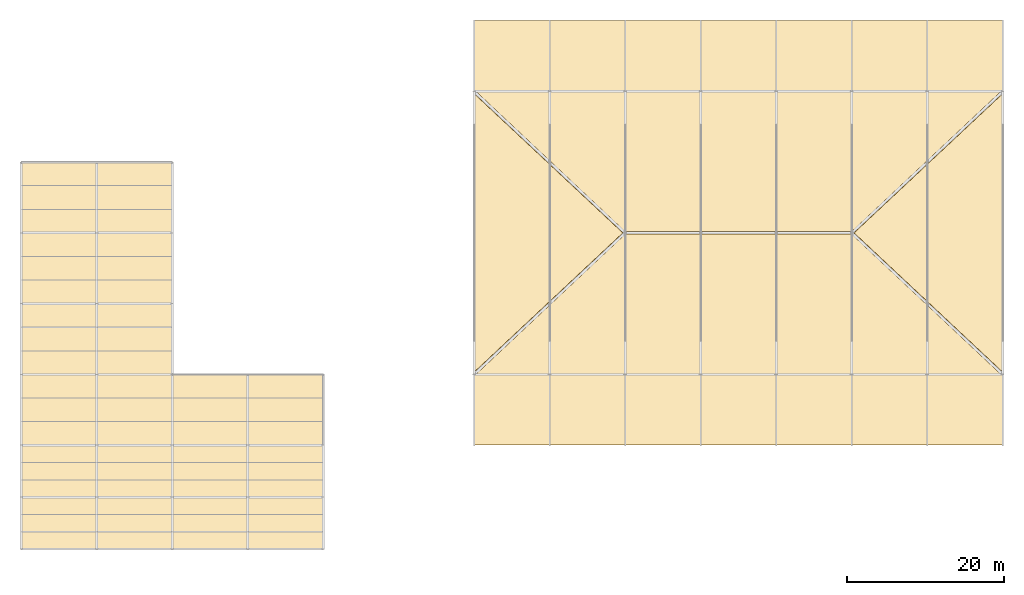
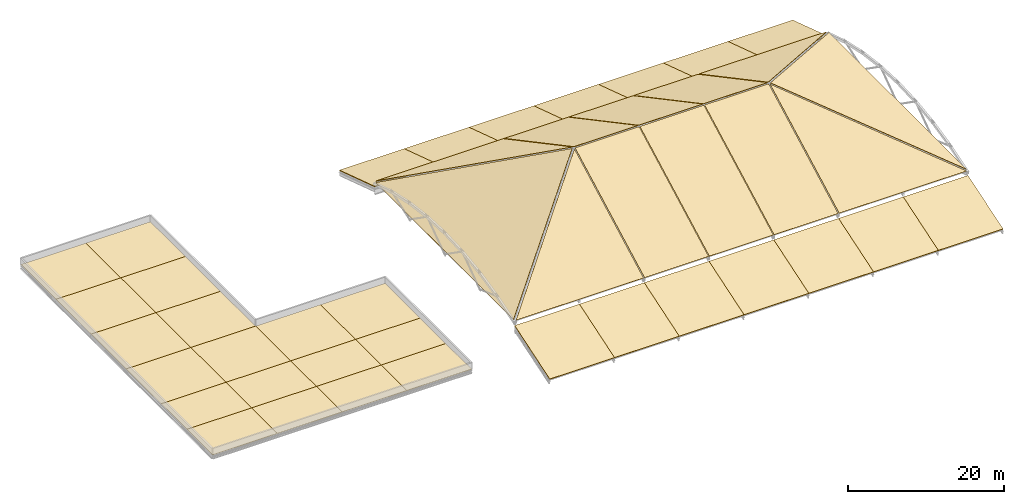
# One storey, part 16 of 16: 44 coverings, 8 elements without a shape of their own.
"""IFC4 building model written with IfcOpenShell, lengths in metres."""

from ifc_helpers import new_model, si_unit, direction, frame, origin, place, context, subcontext, project, spatial, polyline, outline, extrude, material, layer, layer_set, type_object, element, aggregate, save


model = new_model("IFC4")

# Units and contexts
model_context = context("Model", 3, precision=1e-05, world=origin(), true_north=direction((0.0, 1.0)))
body_context = subcontext(model_context, "Body", "Model", "MODEL_VIEW")
ifc_project = project(units=[si_unit("LENGTHUNIT", "METRE"), si_unit("AREAUNIT", "SQUARE_METRE"), si_unit("VOLUMEUNIT", "CUBIC_METRE"), si_unit("PLANEANGLEUNIT", "RADIAN"), si_unit("MASSUNIT", "GRAM", prefix="KILO")], contexts=[model_context])

# Site, building, storey
site_placement = place(None, origin())
site = spatial("IfcSite", under=ifc_project, at=site_placement, CompositionType="ELEMENT")
building_placement = place(site_placement, origin())
building = spatial("IfcBuilding", under=site, at=building_placement, Name="Zarnetskaya Central Station", CompositionType="ELEMENT")
storey_placement = place(building_placement, frame((0.0, 0.0, 27.0)))
storey = spatial("IfcBuildingStorey", under=building, at=storey_placement, Name="RF", CompositionType="ELEMENT", Elevation=27.0)

# Roof, coverings
ifc_material_1 = material(Name="Steel S355", Category="steel")
roof_type_1 = type_object("IfcRoofType", Name="RF-ASSY-HIP", PredefinedType="HIP_ROOF", material=ifc_material_1)
roof_1_placement = place(storey_placement, origin())
roof_1 = element("IfcRoof", 1, at=roof_1_placement, inside=storey, type_object=roof_type_1, Name="Grand hall pyramid-hipped roof bay 1", PredefinedType="HIP_ROOF")
ifc_material_2 = material(Name="Planted green roof build-up")
ifc_layer_1 = layer(ifc_material_2, 0.1201171875, Name="Planted green roof build-up")
ifc_layer_set_1 = layer_set([ifc_layer_1], Name="Planted green roof build-up")
covering_type_1 = type_object("IfcCoveringType", Name="COV-GREEN-ROOF", PredefinedType="ROOFING", material=ifc_layer_set_1)
covering_1_placement = place(storey_placement, frame((57.60009765625, 13.199951171875, -16.22998046875), z_axis=(0.0, -0.309020735465, 0.951055300733), x_axis=(1.0, 0.0, 0.0)))
covering_1 = element("IfcCovering", 2, at=covering_1_placement, type_object=covering_type_1, Name="Planted green roof build-up S1", PredefinedType="ROOFING", context=body_context, shape_type="SweptSolid", body=[
    extrude(outline(polyline([(0.0, 0.0), (9.599853515625, 0.0), (9.599853515625, 9.463172113190318), (0.0, 9.463172113190318), (0.0, 0.0)])), origin(), (0.0, 0.0, -1.0), 0.1201171875),
])
covering_2_placement = place(storey_placement, frame((67.199951171875, 67.199951171875, -16.22998046875), z_axis=(0.0, 0.309020735465, 0.951055300733), x_axis=(-1.0, 0.0, 0.0)))
covering_2 = element("IfcCovering", 3, at=covering_2_placement, type_object=covering_type_1, Name="Planted green roof build-up N1", PredefinedType="ROOFING", context=body_context, shape_type="SweptSolid", body=[
    extrude(outline(polyline([(0.0, 0.0), (9.599853515625, 0.0), (9.599853515625, 9.463172113190318), (0.0, 9.463172113190318), (0.0, 0.0)])), origin(), (0.0, 0.0, -1.0), 0.1201171875),
])
aggregate(roof_1, [covering_1, covering_2])

roof_2_placement = place(storey_placement, origin())
roof_2 = element("IfcRoof", 4, at=roof_2_placement, inside=storey, type_object=roof_type_1, Name="Grand hall pyramid-hipped roof bay 2", PredefinedType="HIP_ROOF")
covering_3_placement = place(storey_placement, frame((67.199951171875, 13.199951171875, -16.22998046875), z_axis=(0.0, -0.309020735465, 0.951055300733), x_axis=(1.0, 0.0, 0.0)))
covering_3 = element("IfcCovering", 5, at=covering_3_placement, type_object=covering_type_1, Name="Planted green roof build-up S2", PredefinedType="ROOFING", context=body_context, shape_type="SweptSolid", body=[
    extrude(outline(polyline([(0.0, 0.0), (9.60009765625, 0.0), (9.60009765625, 9.463172113190318), (0.0, 9.463172113190318), (0.0, 0.0)])), origin(), (0.0, 0.0, -1.0), 0.1201171875),
])
covering_4_placement = place(storey_placement, frame((76.800048828125, 67.199951171875, -16.22998046875), z_axis=(0.0, 0.309020735465, 0.951055300733), x_axis=(-1.0, 0.0, 0.0)))
covering_4 = element("IfcCovering", 6, at=covering_4_placement, type_object=covering_type_1, Name="Planted green roof build-up N2", PredefinedType="ROOFING", context=body_context, shape_type="SweptSolid", body=[
    extrude(outline(polyline([(0.0, 0.0), (9.60009765625, 0.0), (9.60009765625, 9.463172113190318), (0.0, 9.463172113190318), (0.0, 0.0)])), origin(), (0.0, 0.0, -1.0), 0.1201171875),
])
aggregate(roof_2, [covering_3, covering_4])

roof_3_placement = place(storey_placement, origin())
roof_3 = element("IfcRoof", 7, at=roof_3_placement, inside=storey, type_object=roof_type_1, Name="Grand hall pyramid-hipped roof bay 3", PredefinedType="HIP_ROOF")
covering_5_placement = place(storey_placement, frame((76.800048828125, 13.199951171875, -16.22998046875), z_axis=(0.0, -0.309020735465, 0.951055300733), x_axis=(1.0, 0.0, 0.0)))
covering_5 = element("IfcCovering", 8, at=covering_5_placement, type_object=covering_type_1, Name="Planted green roof build-up S3", PredefinedType="ROOFING", context=body_context, shape_type="SweptSolid", body=[
    extrude(outline(polyline([(0.0, 0.0), (9.599853515625, 0.0), (9.599853515625, 9.463172113190318), (0.0, 9.463172113190318), (0.0, 0.0)])), origin(), (0.0, 0.0, -1.0), 0.1201171875),
])
covering_6_placement = place(storey_placement, frame((86.39990234375, 67.199951171875, -16.22998046875), z_axis=(0.0, 0.309020735465, 0.951055300733), x_axis=(-1.0, 0.0, 0.0)))
covering_6 = element("IfcCovering", 9, at=covering_6_placement, type_object=covering_type_1, Name="Planted green roof build-up N3", PredefinedType="ROOFING", context=body_context, shape_type="SweptSolid", body=[
    extrude(outline(polyline([(0.0, 0.0), (9.599853515625, 0.0), (9.599853515625, 9.463172113190318), (0.0, 9.463172113190318), (0.0, 0.0)])), origin(), (0.0, 0.0, -1.0), 0.1201171875),
])
aggregate(roof_3, [covering_5, covering_6])

roof_4_placement = place(storey_placement, origin())
roof_4 = element("IfcRoof", 10, at=roof_4_placement, inside=storey, type_object=roof_type_1, Name="Grand hall pyramid-hipped roof bay 4", PredefinedType="HIP_ROOF")
covering_7_placement = place(storey_placement, frame((86.39990234375, 13.199951171875, -16.22998046875), z_axis=(0.0, -0.309020735465, 0.951055300733), x_axis=(1.0, 0.0, 0.0)))
covering_7 = element("IfcCovering", 11, at=covering_7_placement, type_object=covering_type_1, Name="Planted green roof build-up S4", PredefinedType="ROOFING", context=body_context, shape_type="SweptSolid", body=[
    extrude(outline(polyline([(0.0, 0.0), (9.60009765625, 0.0), (9.60009765625, 9.463172113190318), (0.0, 9.463172113190318), (0.0, 0.0)])), origin(), (0.0, 0.0, -1.0), 0.1201171875),
])
covering_8_placement = place(storey_placement, frame((96.0, 67.199951171875, -16.22998046875), z_axis=(0.0, 0.309020735465, 0.951055300733), x_axis=(-1.0, 0.0, 0.0)))
covering_8 = element("IfcCovering", 12, at=covering_8_placement, type_object=covering_type_1, Name="Planted green roof build-up N4", PredefinedType="ROOFING", context=body_context, shape_type="SweptSolid", body=[
    extrude(outline(polyline([(0.0, 0.0), (9.60009765625, 0.0), (9.60009765625, 9.463172113190318), (0.0, 9.463172113190318), (0.0, 0.0)])), origin(), (0.0, 0.0, -1.0), 0.1201171875),
])

roof_5_placement = place(storey_placement, origin())
roof_5 = element("IfcRoof", 13, at=roof_5_placement, inside=storey, type_object=roof_type_1, Name="Grand hall pyramid-hipped roof bay 5", PredefinedType="HIP_ROOF")
covering_9_placement = place(storey_placement, frame((96.0, 13.199951171875, -16.22998046875), z_axis=(0.0, -0.309020735465, 0.951055300733), x_axis=(1.0, 0.0, 0.0)))
covering_9 = element("IfcCovering", 14, at=covering_9_placement, type_object=covering_type_1, Name="Planted green roof build-up S5", PredefinedType="ROOFING", context=body_context, shape_type="SweptSolid", body=[
    extrude(outline(polyline([(0.0, 0.0), (9.60009765625, 0.0), (9.60009765625, 9.463172113190318), (0.0, 9.463172113190318), (0.0, 0.0)])), origin(), (0.0, 0.0, -1.0), 0.1201171875),
])
covering_10_placement = place(storey_placement, frame((105.60009765625, 67.199951171875, -16.22998046875), z_axis=(0.0, 0.309020735465, 0.951055300733), x_axis=(-1.0, 0.0, 0.0)))
covering_10 = element("IfcCovering", 15, at=covering_10_placement, type_object=covering_type_1, Name="Planted green roof build-up N5", PredefinedType="ROOFING", context=body_context, shape_type="SweptSolid", body=[
    extrude(outline(polyline([(0.0, 0.0), (9.60009765625, 0.0), (9.60009765625, 9.463172113190318), (0.0, 9.463172113190318), (0.0, 0.0)])), origin(), (0.0, 0.0, -1.0), 0.1201171875),
])
aggregate(roof_5, [covering_9, covering_10])

roof_6_placement = place(storey_placement, origin())
roof_6 = element("IfcRoof", 16, at=roof_6_placement, inside=storey, type_object=roof_type_1, Name="Grand hall pyramid-hipped roof bay 6", PredefinedType="HIP_ROOF")
covering_11_placement = place(storey_placement, frame((105.60009765625, 13.199951171875, -16.22998046875), z_axis=(0.0, -0.309020735465, 0.951055300733), x_axis=(1.0, 0.0, 0.0)))
covering_11 = element("IfcCovering", 17, at=covering_11_placement, type_object=covering_type_1, Name="Planted green roof build-up S6", PredefinedType="ROOFING", context=body_context, shape_type="SweptSolid", body=[
    extrude(outline(polyline([(0.0, 0.0), (9.599853515625, 0.0), (9.599853515625, 9.463172113190318), (0.0, 9.463172113190318), (0.0, 0.0)])), origin(), (0.0, 0.0, -1.0), 0.1201171875),
])
covering_12_placement = place(storey_placement, frame((115.199951171875, 67.199951171875, -16.22998046875), z_axis=(0.0, 0.309020735465, 0.951055300733), x_axis=(-1.0, 0.0, 0.0)))
covering_12 = element("IfcCovering", 18, at=covering_12_placement, type_object=covering_type_1, Name="Planted green roof build-up N6", PredefinedType="ROOFING", context=body_context, shape_type="SweptSolid", body=[
    extrude(outline(polyline([(0.0, 0.0), (9.599853515625, 0.0), (9.599853515625, 9.463172113190318), (0.0, 9.463172113190318), (0.0, 0.0)])), origin(), (0.0, 0.0, -1.0), 0.1201171875),
])
aggregate(roof_6, [covering_11, covering_12])

roof_7_placement = place(storey_placement, origin())
roof_7 = element("IfcRoof", 19, at=roof_7_placement, inside=storey, type_object=roof_type_1, Name="Grand hall pyramid-hipped roof bay 7", PredefinedType="HIP_ROOF")
covering_13_placement = place(storey_placement, frame((115.199951171875, 13.199951171875, -16.22998046875), z_axis=(0.0, -0.309020735465, 0.951055300733), x_axis=(1.0, 0.0, 0.0)))
covering_13 = element("IfcCovering", 20, at=covering_13_placement, type_object=covering_type_1, Name="Planted green roof build-up S7", PredefinedType="ROOFING", context=body_context, shape_type="SweptSolid", body=[
    extrude(outline(polyline([(0.0, 0.0), (9.60009765625, 0.0), (9.60009765625, 9.463172113190318), (0.0, 9.463172113190318), (0.0, 0.0)])), origin(), (0.0, 0.0, -1.0), 0.1201171875),
])
covering_14_placement = place(storey_placement, frame((124.800048828125, 67.199951171875, -16.22998046875), z_axis=(0.0, 0.309020735465, 0.951055300733), x_axis=(-1.0, 0.0, 0.0)))
covering_14 = element("IfcCovering", 21, at=covering_14_placement, type_object=covering_type_1, Name="Planted green roof build-up N7", PredefinedType="ROOFING", context=body_context, shape_type="SweptSolid", body=[
    extrude(outline(polyline([(0.0, 0.0), (9.60009765625, 0.0), (9.60009765625, 9.463172113190318), (0.0, 9.463172113190318), (0.0, 0.0)])), origin(), (0.0, 0.0, -1.0), 0.1201171875),
])
aggregate(roof_7, [covering_13, covering_14])

ifc_material_3 = material(Name="Concrete C30/37", Category="concrete")
roof_type_2 = type_object("IfcRoofType", Name="RF-ASSY-FLAT", PredefinedType="FLAT_ROOF", material=ifc_material_3)
roof_8_placement = place(storey_placement, origin())
roof_8 = element("IfcRoof", 22, at=roof_8_placement, inside=storey, type_object=roof_type_2, Name="Operations wing main flat roof", PredefinedType="FLAT_ROOF")
ifc_material_4 = material(Name="Standing-seam zinc roof cladding")
ifc_layer_2 = layer(ifc_material_4, 0.06494140625, Name="Standing-seam zinc roof cladding")
ifc_layer_set_2 = layer_set([ifc_layer_2], Name="Standing-seam zinc roof cladding")
covering_type_2 = type_object("IfcCoveringType", Name="COV-ZINC-ROOF", PredefinedType="ROOFING", material=ifc_layer_set_2)
covering_15_placement = place(storey_placement, origin())
covering_15 = element("IfcCovering", 23, at=covering_15_placement, type_object=covering_type_2, Name="Standing-seam insulated roofing RFS-V5TOP-RF-AB-12", PredefinedType="ROOFING", context=body_context, shape_type="SweptSolid", body=[
    extrude(outline(polyline([(0.0, 0.0), (9.60009765625, 0.0), (9.60009765625, 6.60009765625), (0.0, 6.60009765625), (0.0, 0.0)])), origin(), (0.0, 0.0, 1.0), 0.06494140625),
])
covering_16_placement = place(storey_placement, origin())
covering_16 = element("IfcCovering", 24, at=covering_16_placement, type_object=covering_type_2, Name="Standing-seam insulated roofing RFS-V5TOP-RF-AB-23", PredefinedType="ROOFING", context=body_context, shape_type="SweptSolid", body=[
    extrude(outline(polyline([(0.0, 6.60009765625), (9.60009765625, 6.60009765625), (9.60009765625, 13.199951171875), (0.0, 13.199951171875), (0.0, 6.60009765625)])), origin(), (0.0, 0.0, 1.0), 0.06494140625),
])
covering_17_placement = place(storey_placement, origin())
covering_17 = element("IfcCovering", 25, at=covering_17_placement, type_object=covering_type_2, Name="Standing-seam insulated roofing RFS-V5TOP-RF-AB-34", PredefinedType="ROOFING", context=body_context, shape_type="SweptSolid", body=[
    extrude(outline(polyline([(0.0, 13.199951171875), (9.60009765625, 13.199951171875), (9.60009765625, 22.199951171875), (0.0, 22.199951171875), (0.0, 13.199951171875)])), origin(), (0.0, 0.0, 1.0), 0.06494140625),
])
covering_18_placement = place(storey_placement, origin())
covering_18 = element("IfcCovering", 26, at=covering_18_placement, type_object=covering_type_2, Name="Standing-seam insulated roofing RFS-V5TOP-RF-AB-45", PredefinedType="ROOFING", context=body_context, shape_type="SweptSolid", body=[
    extrude(outline(polyline([(0.0, 22.199951171875), (9.60009765625, 22.199951171875), (9.60009765625, 31.199951171875), (0.0, 31.199951171875), (0.0, 22.199951171875)])), origin(), (0.0, 0.0, 1.0), 0.06494140625),
])
covering_19_placement = place(storey_placement, origin())
covering_19 = element("IfcCovering", 27, at=covering_19_placement, type_object=covering_type_2, Name="Standing-seam insulated roofing RFS-V5TOP-RF-AB-56", PredefinedType="ROOFING", context=body_context, shape_type="SweptSolid", body=[
    extrude(outline(polyline([(0.0, 31.199951171875), (9.60009765625, 31.199951171875), (9.60009765625, 40.199951171875), (0.0, 40.199951171875), (0.0, 31.199951171875)])), origin(), (0.0, 0.0, 1.0), 0.06494140625),
])
covering_20_placement = place(storey_placement, origin())
covering_20 = element("IfcCovering", 28, at=covering_20_placement, type_object=covering_type_2, Name="Standing-seam insulated roofing RFS-V5TOP-RF-AB-67", PredefinedType="ROOFING", context=body_context, shape_type="SweptSolid", body=[
    extrude(outline(polyline([(0.0, 40.199951171875), (9.60009765625, 40.199951171875), (9.60009765625, 49.199951171875), (0.0, 49.199951171875), (0.0, 40.199951171875)])), origin(), (0.0, 0.0, 1.0), 0.06494140625),
])
covering_21_placement = place(storey_placement, origin())
covering_21 = element("IfcCovering", 29, at=covering_21_placement, type_object=covering_type_2, Name="Standing-seam insulated roofing RFS-V5TOP-RF-BC-12", PredefinedType="ROOFING", context=body_context, shape_type="SweptSolid", body=[
    extrude(outline(polyline([(9.60009765625, 0.0), (19.199951171875, 0.0), (19.199951171875, 6.60009765625), (9.60009765625, 6.60009765625), (9.60009765625, 0.0)])), origin(), (0.0, 0.0, 1.0), 0.06494140625),
])
covering_22_placement = place(storey_placement, origin())
covering_22 = element("IfcCovering", 30, at=covering_22_placement, type_object=covering_type_2, Name="Standing-seam insulated roofing RFS-V5TOP-RF-BC-23", PredefinedType="ROOFING", context=body_context, shape_type="SweptSolid", body=[
    extrude(outline(polyline([(9.60009765625, 6.60009765625), (19.199951171875, 6.60009765625), (19.199951171875, 13.199951171875), (9.60009765625, 13.199951171875), (9.60009765625, 6.60009765625)])), origin(), (0.0, 0.0, 1.0), 0.06494140625),
])
covering_23_placement = place(storey_placement, origin())
covering_23 = element("IfcCovering", 31, at=covering_23_placement, type_object=covering_type_2, Name="Standing-seam insulated roofing RFS-V5TOP-RF-BC-34", PredefinedType="ROOFING", context=body_context, shape_type="SweptSolid", body=[
    extrude(outline(polyline([(9.60009765625, 13.199951171875), (19.199951171875, 13.199951171875), (19.199951171875, 22.199951171875), (9.60009765625, 22.199951171875), (9.60009765625, 13.199951171875)])), origin(), (0.0, 0.0, 1.0), 0.06494140625),
])
covering_24_placement = place(storey_placement, origin())
covering_24 = element("IfcCovering", 32, at=covering_24_placement, type_object=covering_type_2, Name="Standing-seam insulated roofing RFS-V5TOP-RF-BC-45", PredefinedType="ROOFING", context=body_context, shape_type="SweptSolid", body=[
    extrude(outline(polyline([(9.60009765625, 22.199951171875), (19.199951171875, 22.199951171875), (19.199951171875, 31.199951171875), (9.60009765625, 31.199951171875), (9.60009765625, 22.199951171875)])), origin(), (0.0, 0.0, 1.0), 0.06494140625),
])
covering_25_placement = place(storey_placement, origin())
covering_25 = element("IfcCovering", 33, at=covering_25_placement, type_object=covering_type_2, Name="Standing-seam insulated roofing RFS-V5TOP-RF-BC-56", PredefinedType="ROOFING", context=body_context, shape_type="SweptSolid", body=[
    extrude(outline(polyline([(9.60009765625, 31.199951171875), (19.199951171875, 31.199951171875), (19.199951171875, 40.199951171875), (9.60009765625, 40.199951171875), (9.60009765625, 31.199951171875)])), origin(), (0.0, 0.0, 1.0), 0.06494140625),
])
covering_26_placement = place(storey_placement, origin())
covering_26 = element("IfcCovering", 34, at=covering_26_placement, type_object=covering_type_2, Name="Standing-seam insulated roofing RFS-V5TOP-RF-BC-67", PredefinedType="ROOFING", context=body_context, shape_type="SweptSolid", body=[
    extrude(outline(polyline([(9.60009765625, 40.199951171875), (19.199951171875, 40.199951171875), (19.199951171875, 49.199951171875), (9.60009765625, 49.199951171875), (9.60009765625, 40.199951171875)])), origin(), (0.0, 0.0, 1.0), 0.06494140625),
])
covering_27_placement = place(storey_placement, origin())
covering_27 = element("IfcCovering", 35, at=covering_27_placement, type_object=covering_type_2, Name="Standing-seam insulated roofing RFS-V5TOP-RF-CD-12", PredefinedType="ROOFING", context=body_context, shape_type="SweptSolid", body=[
    extrude(outline(polyline([(19.199951171875, 0.0), (28.800048828125, 0.0), (28.800048828125, 6.60009765625), (19.199951171875, 6.60009765625), (19.199951171875, 0.0)])), origin(), (0.0, 0.0, 1.0), 0.06494140625),
])
covering_28_placement = place(storey_placement, origin())
covering_28 = element("IfcCovering", 36, at=covering_28_placement, type_object=covering_type_2, Name="Standing-seam insulated roofing RFS-V5TOP-RF-CD-23", PredefinedType="ROOFING", context=body_context, shape_type="SweptSolid", body=[
    extrude(outline(polyline([(19.199951171875, 6.60009765625), (28.800048828125, 6.60009765625), (28.800048828125, 13.199951171875), (19.199951171875, 13.199951171875), (19.199951171875, 6.60009765625)])), origin(), (0.0, 0.0, 1.0), 0.06494140625),
])
covering_29_placement = place(storey_placement, origin())
covering_29 = element("IfcCovering", 37, at=covering_29_placement, type_object=covering_type_2, Name="Standing-seam insulated roofing RFS-V5TOP-RF-CD-34", PredefinedType="ROOFING", context=body_context, shape_type="SweptSolid", body=[
    extrude(outline(polyline([(19.199951171875, 13.199951171875), (28.800048828125, 13.199951171875), (28.800048828125, 22.199951171875), (19.199951171875, 22.199951171875), (19.199951171875, 13.199951171875)])), origin(), (0.0, 0.0, 1.0), 0.06494140625),
])
covering_30_placement = place(storey_placement, origin())
covering_30 = element("IfcCovering", 38, at=covering_30_placement, type_object=covering_type_2, Name="Standing-seam insulated roofing RFS-V5TOP-RF-DE-12", PredefinedType="ROOFING", context=body_context, shape_type="SweptSolid", body=[
    extrude(outline(polyline([(28.800048828125, 0.0), (38.39990234375, 0.0), (38.39990234375, 6.60009765625), (28.800048828125, 6.60009765625), (28.800048828125, 0.0)])), origin(), (0.0, 0.0, 1.0), 0.06494140625),
])
covering_31_placement = place(storey_placement, origin())
covering_31 = element("IfcCovering", 39, at=covering_31_placement, type_object=covering_type_2, Name="Standing-seam insulated roofing RFS-V5TOP-RF-DE-23", PredefinedType="ROOFING", context=body_context, shape_type="SweptSolid", body=[
    extrude(outline(polyline([(28.800048828125, 6.60009765625), (38.39990234375, 6.60009765625), (38.39990234375, 13.199951171875), (28.800048828125, 13.199951171875), (28.800048828125, 6.60009765625)])), origin(), (0.0, 0.0, 1.0), 0.06494140625),
])
covering_32_placement = place(storey_placement, origin())
covering_32 = element("IfcCovering", 40, at=covering_32_placement, type_object=covering_type_2, Name="Standing-seam insulated roofing RFS-V5TOP-RF-DE-34", PredefinedType="ROOFING", context=body_context, shape_type="SweptSolid", body=[
    extrude(outline(polyline([(28.800048828125, 13.199951171875), (38.39990234375, 13.199951171875), (38.39990234375, 22.199951171875), (28.800048828125, 22.199951171875), (28.800048828125, 13.199951171875)])), origin(), (0.0, 0.0, 1.0), 0.06494140625),
])
aggregate(roof_8, [covering_15, covering_16, covering_17, covering_18, covering_19, covering_20, covering_21, covering_22, covering_23, covering_24, covering_25, covering_26, covering_27, covering_28, covering_29, covering_30, covering_31, covering_32])

# Covering
covering_33_placement = place(storey_placement, frame((76.85009765625, 22.199951171875, -12.534912109375), z_axis=(0.0, -0.47058698254, 0.882353609311), x_axis=(1.0, 0.0, 0.0)))
covering_33 = element("IfcCovering", 41, at=covering_33_placement, type_object=covering_type_2, Name="Standing-seam zinc hip roofing HIP-S-JK", PredefinedType="ROOFING", context=body_context, shape_type="SweptSolid", body=[
    extrude(outline(polyline([(0.0, 0.0), (9.5, 0.0), (9.5, 20.230095358476273), (0.0, 20.230095358476273), (0.0, 0.0)])), origin(), (0.0, 0.0, -1.0), 0.06494140625),
])

covering_34_placement = place(storey_placement, frame((86.449951171875, 22.199951171875, -12.534912109375), z_axis=(0.0, -0.47058698254, 0.882353609311), x_axis=(1.0, 0.0, 0.0)))
covering_34 = element("IfcCovering", 42, at=covering_34_placement, type_object=covering_type_2, Name="Standing-seam zinc hip roofing HIP-S-KL", PredefinedType="ROOFING", context=body_context, shape_type="SweptSolid", body=[
    extrude(outline(polyline([(0.0, 0.0), (9.5, 0.0), (9.5, 20.230095358476273), (0.0, 20.230095358476273), (0.0, 0.0)])), origin(), (0.0, 0.0, -1.0), 0.06494140625),
])

covering_35_placement = place(storey_placement, frame((96.050048828125, 22.199951171875, -12.534912109375), z_axis=(0.0, -0.47058698254, 0.882353609311), x_axis=(1.0, 0.0, 0.0)))
covering_35 = element("IfcCovering", 43, at=covering_35_placement, type_object=covering_type_2, Name="Standing-seam zinc hip roofing HIP-S-LM", PredefinedType="ROOFING", context=body_context, shape_type="SweptSolid", body=[
    extrude(outline(polyline([(0.0, 0.0), (9.5, 0.0), (9.5, 20.230095358476273), (0.0, 20.230095358476273), (0.0, 0.0)])), origin(), (0.0, 0.0, -1.0), 0.06494140625),
])

covering_36_placement = place(storey_placement, frame((86.35009765625, 58.199951171875, -12.534912109375), z_axis=(0.0, 0.47059199359, 0.882350936742), x_axis=(-1.0, 0.0, 0.0)))
covering_36 = element("IfcCovering", 44, at=covering_36_placement, type_object=covering_type_2, Name="Standing-seam zinc hip roofing HIP-N-JK", PredefinedType="ROOFING", context=body_context, shape_type="SweptSolid", body=[
    extrude(outline(polyline([(0.0, 0.0), (9.5, 0.0), (9.5, 20.229879940440863), (0.0, 20.229879940440863), (0.0, 0.0)])), origin(), (0.0, 0.0, -1.0), 0.06494140625),
])

covering_37_placement = place(storey_placement, frame((95.949951171875, 58.199951171875, -12.534912109375), z_axis=(0.0, 0.47059199359, 0.882350936742), x_axis=(-1.0, 0.0, 0.0)))
covering_37 = element("IfcCovering", 45, at=covering_37_placement, type_object=covering_type_2, Name="Standing-seam zinc hip roofing HIP-N-KL", PredefinedType="ROOFING", context=body_context, shape_type="SweptSolid", body=[
    extrude(outline(polyline([(0.0, 0.0), (9.5, 0.0), (9.5, 20.229879940440863), (0.0, 20.229879940440863), (0.0, 0.0)])), origin(), (0.0, 0.0, -1.0), 0.06494140625),
])

covering_38_placement = place(storey_placement, frame((105.550048828125, 58.199951171875, -12.534912109375), z_axis=(0.0, 0.47059199359, 0.882350936742), x_axis=(-1.0, 0.0, 0.0)))
covering_38 = element("IfcCovering", 46, at=covering_38_placement, type_object=covering_type_2, Name="Standing-seam zinc hip roofing HIP-N-LM", PredefinedType="ROOFING", context=body_context, shape_type="SweptSolid", body=[
    extrude(outline(polyline([(0.0, 0.0), (9.5, 0.0), (9.5, 20.229879940440863), (0.0, 20.229879940440863), (0.0, 0.0)])), origin(), (0.0, 0.0, -1.0), 0.06494140625),
])

covering_39_placement = place(storey_placement, frame((57.800048828125, 22.199951171875, -12.534912109375), z_axis=(0.0, -0.470716091889, 0.882284739093), x_axis=(1.0, 0.0, 0.0)))
covering_39 = element("IfcCovering", 47, at=covering_39_placement, type_object=covering_type_2, Name="Standing-seam zinc hip roofing HIP-SW-GT", PredefinedType="ROOFING", context=body_context, shape_type="SweptSolid", body=[
    extrude(outline(polyline([(0.0, 0.0), (18.89990234375, 0.0), (18.89990234375, 20.118221718582532), (0.0, 0.0)])), origin(), (0.0, 0.0, -1.0), 0.06494140625),
])

covering_40_placement = place(storey_placement, frame((76.699951171875, 58.199951171875, -12.534912109375), z_axis=(0.0, 0.470716091889, 0.882284739093), x_axis=(-1.0, 0.0, 0.0)))
covering_40 = element("IfcCovering", 48, at=covering_40_placement, type_object=covering_type_2, Name="Standing-seam zinc hip roofing HIP-NW-GT", PredefinedType="ROOFING", context=body_context, shape_type="SweptSolid", body=[
    extrude(outline(polyline([(0.0, 0.0), (18.89990234375, 0.0), (0.0, 20.118221718582532), (0.0, 0.0)])), origin(), (0.0, 0.0, -1.0), 0.06494140625),
])

covering_41_placement = place(storey_placement, frame((57.60009765625, 57.89990234375, -12.534912109375), z_axis=(-0.4472135955, 0.0, 0.894427191), x_axis=(0.0, -1.0, 0.0)))
covering_41 = element("IfcCovering", 49, at=covering_41_placement, type_object=covering_type_2, Name="Standing-seam zinc hip roofing HIP-W-END", PredefinedType="ROOFING", context=body_context, shape_type="SweptSolid", body=[
    extrude(outline(polyline([(0.0, 0.0), (35.39990234375, 0.0), (17.699951171875, 21.130733204366297), (0.0, 0.0)])), origin(), (0.0, 0.0, -1.0), 0.06494140625),
])

covering_42_placement = place(storey_placement, frame((105.699951171875, 22.199951171875, -12.534912109375), z_axis=(0.0, -0.470716091889, 0.882284739093), x_axis=(1.0, 0.0, 0.0)))
covering_42 = element("IfcCovering", 50, at=covering_42_placement, type_object=covering_type_2, Name="Standing-seam zinc hip roofing HIP-SE-GT", PredefinedType="ROOFING", context=body_context, shape_type="SweptSolid", body=[
    extrude(outline(polyline([(0.0, 0.0), (18.900146484375, 0.0), (0.0, 20.118221718582532), (0.0, 0.0)])), origin(), (0.0, 0.0, -1.0), 0.06494140625),
])

covering_43_placement = place(storey_placement, frame((124.60009765625, 58.199951171875, -12.534912109375), z_axis=(0.0, 0.470716091889, 0.882284739093), x_axis=(-1.0, 0.0, 0.0)))
covering_43 = element("IfcCovering", 51, at=covering_43_placement, type_object=covering_type_2, Name="Standing-seam zinc hip roofing HIP-NE-GT", PredefinedType="ROOFING", context=body_context, shape_type="SweptSolid", body=[
    extrude(outline(polyline([(0.0, 0.0), (18.900146484375, 0.0), (18.900146484375, 20.118221718582532), (0.0, 0.0)])), origin(), (0.0, 0.0, -1.0), 0.06494140625),
])

covering_44_placement = place(storey_placement, frame((124.800048828125, 22.5, -12.534912109375), z_axis=(0.447208974015, 0.0, 0.894429501728), x_axis=(0.0, 1.0, 0.0)))
covering_44 = element("IfcCovering", 52, at=covering_44_placement, type_object=covering_type_2, Name="Standing-seam zinc hip roofing HIP-E-END", PredefinedType="ROOFING", context=body_context, shape_type="SweptSolid", body=[
    extrude(outline(polyline([(0.0, 0.0), (35.39990234375, 0.0), (17.699951171875, 21.130951570661797), (0.0, 0.0)])), origin(), (0.0, 0.0, -1.0), 0.06494140625),
])

aggregate(roof_4, [covering_7, covering_8, covering_33, covering_34, covering_35, covering_36, covering_37, covering_38, covering_39, covering_40, covering_41, covering_42, covering_43, covering_44])

save(model, "model.ifc")
